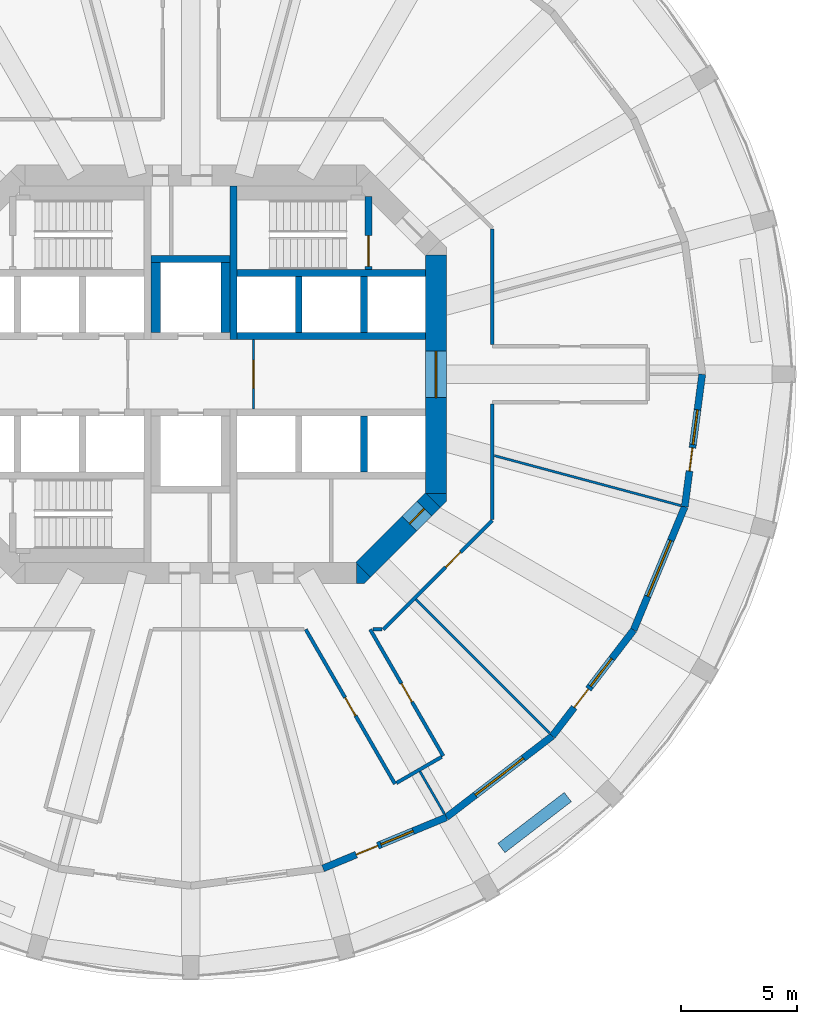
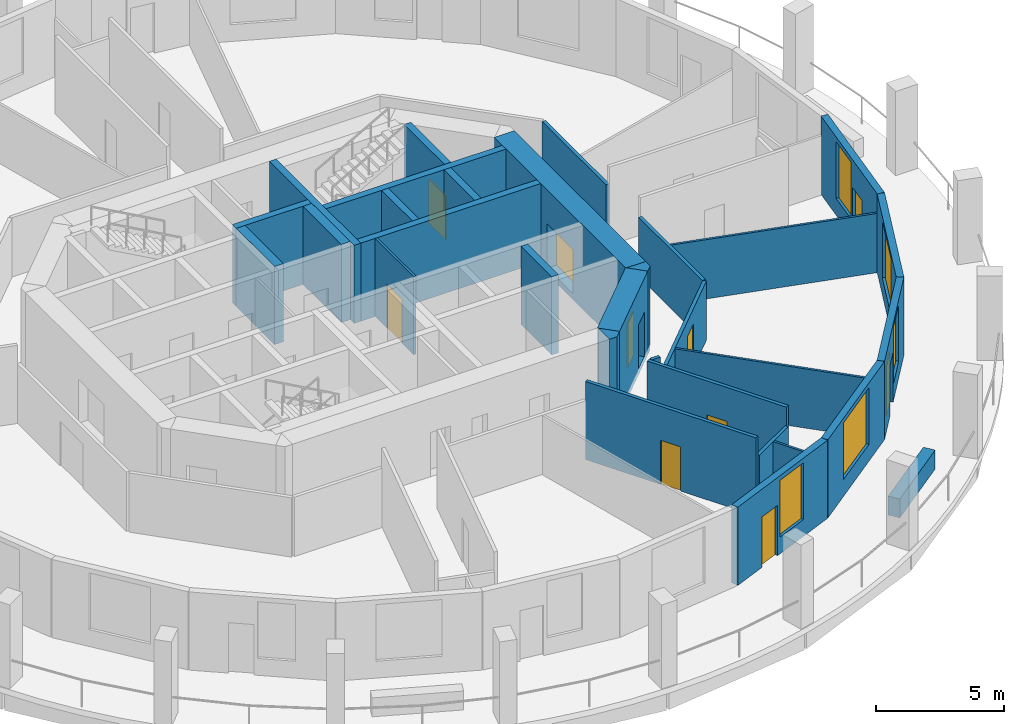
# One storey, part 4 of 8: 31 walls, 10 doors, 5 windows, 15 openings.
"""IFC4 building model written with IfcOpenShell, lengths in metres."""

from ifc_helpers import new_model, si_unit, direction, frame, frame_2d, origin, place, context, subcontext, project, spatial, polyline, rectangle, outline, extrude, material, layer, layer_set, type_object, element, fill, save


model = new_model("IFC4")

# Units and contexts
model_context = context("Model", 3, precision=1e-05, world=origin(), true_north=direction((0.0, 1.0)))
body_context = subcontext(model_context, "Body", "Model", "MODEL_VIEW")
ifc_project = project(units=[si_unit("LENGTHUNIT", "METRE"), si_unit("AREAUNIT", "SQUARE_METRE"), si_unit("VOLUMEUNIT", "CUBIC_METRE"), si_unit("PLANEANGLEUNIT", "RADIAN"), si_unit("MASSUNIT", "GRAM", prefix="KILO")], contexts=[model_context])

# Site, building, storey
site_placement = place(None, origin())
site = spatial("IfcSite", under=ifc_project, at=site_placement, CompositionType="ELEMENT")
building_placement = place(site_placement, origin())
building = spatial("IfcBuilding", under=site, at=building_placement, Name="Torre Triforio", CompositionType="ELEMENT")
storey_placement = place(building_placement, frame((0.0, 0.0, 94.60009765625)))
storey = spatial("IfcBuildingStorey", under=building, at=storey_placement, Name="L20", CompositionType="ELEMENT", Elevation=94.60009765625)

# Wall
ifc_material_1 = material(Name="Concrete C60", Category="concrete")
ifc_layer_1 = layer(ifc_material_1, 0.300048828125)
ifc_layer_set_1 = layer_set([ifc_layer_1], Name="Concrete C60")
wall_type_1 = type_object("IfcWallType", Name="Core wall 300 mm C60 EI 120", PredefinedType="SHEAR", material=ifc_layer_set_1)
wall_1_placement = place(storey_placement, frame((1.85009765625, 1.5, 0.0), z_axis=(0.0, 0.0, 1.0), x_axis=(0.0, 1.0, 0.0)))
element("IfcWall", 1, at=wall_1_placement, inside=storey, type_object=wall_type_1, Name="Core wall", PredefinedType="SHEAR", context=body_context, shape_type="SweptSolid", body=[
    extrude(rectangle(XDim=6.60009765625, YDim=0.300048828125, at=frame_2d((3.300048828125, 0.0))), origin(), (0.0, 0.0, 1.0), 3.719970703125),
])

# Wall, opening, door
ifc_layer_2 = layer(ifc_material_1, 0.89990234375)
ifc_layer_set_2 = layer_set([ifc_layer_2], Name="Concrete C60")
wall_type_2 = type_object("IfcWallType", Name="Core wall 900 mm C60 EI 120", PredefinedType="SHEAR", material=ifc_layer_set_2)
wall_2_placement = place(storey_placement, frame((10.550048828125, -5.1298828125, -0.280029296875), z_axis=(0.0, 0.0, 1.0), x_axis=(0.0, 1.0, 0.0)))
wall_2 = element("IfcWall", 2, at=wall_2_placement, inside=storey, type_object=wall_type_2, Name="Core wall", PredefinedType="SHEAR", context=body_context, shape_type="SweptSolid", body=[
    extrude(rectangle(XDim=10.259765625, YDim=0.89990234375, at=frame_2d((5.1298828125, 0.0))), origin(), (0.0, 0.0, 1.0), 4.0),
])
opening_1_placement = place(wall_2_placement, frame((4.1298828125, 0.0, 0.280029296875)))
opening_1 = element("IfcOpeningElement", 3, at=opening_1_placement, cuts=wall_2, Name="Opening E-RING", PredefinedType="OPENING", context=body_context, shape_type="SweptSolid", body=[
    extrude(rectangle(XDim=2.0, YDim=2.10009765625, at=frame_2d((1.0, 1.050048828125))), frame((0.0, 0.4599609375, 0.0), z_axis=(0.0, -1.0, 0.0), x_axis=(1.0, 0.0, 0.0)), (0.0, 0.0, 1.0), 0.919921875),
])
ifc_material_2 = material(Name="Hollow metal fire door leaf")
door_type_1 = type_object("IfcDoorType", Name="Lobby door 2000 x 2100 EI 60", OperationType="DOUBLE_DOOR_SINGLE_SWING", PredefinedType="DOOR", material=ifc_material_2)
door_1_placement = place(opening_1_placement, origin())
door_1 = element("IfcDoor", 4, at=door_1_placement, inside=storey, type_object=door_type_1, Name="Core door E-RING", OperationType="DOUBLE_DOOR_SINGLE_SWING", OverallHeight=2.10009765625, OverallWidth=2.0, PredefinedType="DOOR", context=body_context, shape_type="SweptSolid", body=[
    extrude(rectangle(XDim=2.0, YDim=2.10009765625, at=frame_2d((1.0, 1.050048828125))), frame((0.0, 0.02490234375, 0.0), z_axis=(0.0, -1.0, 0.0), x_axis=(1.0, 0.0, 0.0)), (0.0, 0.0, 1.0), 0.050048828125),
])
fill(opening_1, door_1)

wall_3_placement = place(storey_placement, frame((10.418212890625, -5.418212890625, -0.280029296875), z_axis=(0.0, 0.0, 1.0), x_axis=(-0.707106781187, -0.707106781187, 0.0)))
wall_3 = element("IfcWall", 5, at=wall_3_placement, inside=storey, type_object=wall_type_2, Name="Core wall", PredefinedType="SHEAR", context=body_context, shape_type="SweptSolid", body=[
    extrude(rectangle(XDim=4.24267578125, YDim=0.89990234375, at=frame_2d((2.121337890625, 0.0))), origin(), (0.0, 0.0, 1.0), 4.0),
])
opening_2_placement = place(wall_3_placement, frame((0.52001953125, 0.0, 0.280029296875)))
opening_2 = element("IfcOpeningElement", 6, at=opening_2_placement, cuts=wall_3, Name="Opening SE-02", PredefinedType="OPENING", context=body_context, shape_type="SweptSolid", body=[
    extrude(rectangle(XDim=0.89990234375, YDim=2.10009765625, at=frame_2d((0.449951171875, 1.050048828125))), frame((0.0, 0.4599609375, 0.0), z_axis=(0.0, -1.0, 0.0), x_axis=(1.0, 0.0, 0.0)), (0.0, 0.0, 1.0), 0.919921875),
])
door_type_2 = type_object("IfcDoorType", Name="Room door 900 x 2100 EI 60", OperationType="NOTDEFINED", PredefinedType="DOOR", material=ifc_material_2)
door_2_placement = place(opening_2_placement, origin())
door_2 = element("IfcDoor", 7, at=door_2_placement, inside=storey, type_object=door_type_2, Name="Core door SE-02", OperationType="SINGLE_SWING_RIGHT", OverallHeight=2.10009765625, OverallWidth=0.89990234375, PredefinedType="DOOR", context=body_context, shape_type="SweptSolid", body=[
    extrude(rectangle(XDim=0.89990234375, YDim=2.10009765625, at=frame_2d((0.449951171875, 1.050048828125))), frame((0.0, 0.02490234375, 0.0), z_axis=(0.0, -1.0, 0.0), x_axis=(1.0, 0.0, 0.0)), (0.0, 0.0, 1.0), 0.050048828125),
])
fill(opening_2, door_2)

# Walls
wall_4_placement = place(storey_placement, frame((0.0, 0.0, -0.280029296875)))
element("IfcWall", 8, at=wall_4_placement, inside=storey, type_object=wall_type_2, Name="Core wall", PredefinedType="SHEAR", context=body_context, shape_type="SweptSolid", body=[
    extrude(outline(polyline([(7.472900390625, -9.0), (7.1298828125, -9.0), (7.1298828125, -8.1298828125), (7.736328125, -8.736328125), (7.472900390625, -9.0)])), origin(), (0.0, 0.0, 1.0), 4.0),
])
wall_5_placement = place(storey_placement, frame((0.0, 0.0, -0.280029296875)))
element("IfcWall", 9, at=wall_5_placement, inside=storey, type_object=wall_type_2, Name="Core wall", PredefinedType="SHEAR", context=body_context, shape_type="SweptSolid", body=[
    extrude(outline(polyline([(11.0, -5.472900390625), (10.736328125, -5.736328125), (10.1298828125, -5.1298828125), (11.0, -5.1298828125), (11.0, -5.472900390625)])), origin(), (0.0, 0.0, 1.0), 4.0),
])
ifc_material_3 = material(Name="Plasterboard on metal studs")
ifc_layer_3 = layer(ifc_material_3, 0.14990234375)
ifc_layer_set_3 = layer_set([ifc_layer_3], Name="Plasterboard on metal studs")
wall_type_3 = type_object("IfcWallType", Name="Corridor and tenancy wall 150 mm EI 60", PredefinedType="PARTITIONING", material=ifc_layer_set_3)
wall_6_placement = place(storey_placement, frame((12.97509765625, -1.27490234375, 0.0), z_axis=(0.0, 0.0, 1.0), x_axis=(0.0, -1.0, 0.0)))
element("IfcWall", 10, at=wall_6_placement, inside=storey, type_object=wall_type_3, Name="Partition 2", PredefinedType="PARTITIONING", context=body_context, shape_type="SweptSolid", body=[
    extrude(rectangle(XDim=4.96337890625, YDim=0.14990234375, at=frame_2d((2.481689453125, 0.0))), origin(), (0.0, 0.0, 1.0), 2.81982421875),
])

# Wall, opening, door
wall_7_placement = place(storey_placement, frame((12.97509765625, -6.291015625, 0.0), z_axis=(0.0, 0.0, 1.0), x_axis=(-0.707106781187, -0.707106781187, 0.0)))
wall_7 = element("IfcWall", 11, at=wall_7_placement, inside=storey, type_object=wall_type_3, Name="Partition 3", PredefinedType="PARTITIONING", context=body_context, shape_type="SweptSolid", body=[
    extrude(rectangle(XDim=6.624267578125, YDim=0.14990234375, at=frame_2d((3.31201171875, 0.0))), origin(), (0.0, 0.0, 1.0), 2.81982421875),
])
opening_3_placement = place(wall_7_placement, frame((1.938232421875, 0.0, 0.0)))
opening_3 = element("IfcOpeningElement", 12, at=opening_3_placement, cuts=wall_7, Name="Opening N6-10", PredefinedType="OPENING", context=body_context, shape_type="SweptSolid", body=[
    extrude(rectangle(XDim=0.89990234375, YDim=2.10009765625, at=frame_2d((0.449951171875, 1.050048828125))), frame((0.0, 0.0849609375, 0.0), z_axis=(0.0, -1.0, 0.0), x_axis=(1.0, 0.0, 0.0)), (0.0, 0.0, 1.0), 0.169921875),
])
ifc_material_4 = material(Name="Timber", Category="wood")
door_type_3 = type_object("IfcDoorType", Name="Door 900 x 2100 single leaf EI 30", OperationType="NOTDEFINED", PredefinedType="DOOR", material=ifc_material_4)
door_3_placement = place(opening_3_placement, origin())
door_3 = element("IfcDoor", 13, at=door_3_placement, inside=storey, type_object=door_type_3, Name="Door N6-10", OperationType="SINGLE_SWING_RIGHT", OverallHeight=2.10009765625, OverallWidth=0.89990234375, PredefinedType="DOOR", context=body_context, shape_type="SweptSolid", body=[
    extrude(rectangle(XDim=0.89990234375, YDim=2.10009765625, at=frame_2d((0.449951171875, 1.050048828125))), frame((0.0, 0.02490234375, 0.0), z_axis=(0.0, -1.0, 0.0), x_axis=(1.0, 0.0, 0.0)), (0.0, 0.0, 1.0), 0.050048828125),
])
fill(opening_3, door_3)

# Wall
wall_8_placement = place(storey_placement, frame((8.23828125, -10.97509765625, 0.0), z_axis=(0.0, 0.0, 1.0), x_axis=(-1.0, 0.0, 0.0)))
element("IfcWall", 14, at=wall_8_placement, inside=storey, type_object=wall_type_3, Name="Partition 4", PredefinedType="PARTITIONING", context=body_context, shape_type="SweptSolid", body=[
    extrude(rectangle(XDim=0.38623046875, YDim=0.14990234375, at=frame_2d((0.193115234375, 0.0))), origin(), (0.0, 0.0, 1.0), 3.719970703125),
])

# Wall, opening, door
wall_9_placement = place(storey_placement, frame((7.72216796875, -10.97509765625, 0.0), z_axis=(0.0, 0.0, 1.0), x_axis=(0.499988183684, -0.86603222583, 0.0)))
wall_9 = element("IfcWall", 15, at=wall_9_placement, inside=storey, type_object=wall_type_3, Name="Partition 5", PredefinedType="PARTITIONING", context=body_context, shape_type="SweptSolid", body=[
    extrude(rectangle(XDim=6.282958984375, YDim=0.14990234375, at=frame_2d((3.1416015625, 0.0))), origin(), (0.0, 0.0, 1.0), 3.719970703125),
])
opening_4_placement = place(wall_9_placement, frame((2.69140625, 0.0, 0.0)))
opening_4 = element("IfcOpeningElement", 16, at=opening_4_placement, cuts=wall_9, Name="Opening N6-09", PredefinedType="OPENING", context=body_context, shape_type="SweptSolid", body=[
    extrude(rectangle(XDim=0.89990234375, YDim=2.10009765625, at=frame_2d((0.449951171875, 1.050048828125))), frame((0.0, 0.0849609375, 0.0), z_axis=(0.0, -1.0, 0.0), x_axis=(1.0, 0.0, 0.0)), (0.0, 0.0, 1.0), 0.169921875),
])
door_4_placement = place(opening_4_placement, origin())
door_4 = element("IfcDoor", 17, at=door_4_placement, inside=storey, type_object=door_type_3, Name="Door N6-09", OperationType="SINGLE_SWING_LEFT", OverallHeight=2.10009765625, OverallWidth=0.89990234375, PredefinedType="DOOR", context=body_context, shape_type="SweptSolid", body=[
    extrude(rectangle(XDim=0.89990234375, YDim=2.10009765625, at=frame_2d((0.449951171875, 1.050048828125))), frame((0.0, 0.02490234375, 0.0), z_axis=(0.0, -1.0, 0.0), x_axis=(1.0, 0.0, 0.0)), (0.0, 0.0, 1.0), 0.050048828125),
])
fill(opening_4, door_4)

# Wall
wall_10_placement = place(storey_placement, frame((10.798583984375, -16.453857421875, 0.0), z_axis=(0.0, 0.0, 1.0), x_axis=(-0.866017533419, -0.500013631625, 0.0)))
element("IfcWall", 18, at=wall_10_placement, inside=storey, type_object=wall_type_3, Name="Partition 6", PredefinedType="PARTITIONING", context=body_context, shape_type="SweptSolid", body=[
    extrude(rectangle(XDim=2.25, YDim=0.14990234375, at=frame_2d((1.125, 0.0))), origin(), (0.0, 0.0, 1.0), 2.81982421875),
])

# Wall, opening, door
wall_11_placement = place(storey_placement, frame((8.78515625, -17.6162109375, 0.0), z_axis=(0.0, 0.0, 1.0), x_axis=(-0.500021918639, 0.866012748683, 0.0)))
wall_11 = element("IfcWall", 19, at=wall_11_placement, inside=storey, type_object=wall_type_3, Name="Partition 7", PredefinedType="PARTITIONING", context=body_context, shape_type="SweptSolid", body=[
    extrude(rectangle(XDim=7.668701171875, YDim=0.14990234375, at=frame_2d((3.83447265625, 0.0))), origin(), (0.0, 0.0, 1.0), 3.719970703125),
])
opening_5_placement = place(wall_11_placement, frame((3.38427734375, 0.0, 0.0)))
opening_5 = element("IfcOpeningElement", 20, at=opening_5_placement, cuts=wall_11, Name="Opening N6-08", PredefinedType="OPENING", context=body_context, shape_type="SweptSolid", body=[
    extrude(rectangle(XDim=0.89990234375, YDim=2.10009765625, at=frame_2d((0.449951171875, 1.050048828125))), frame((0.0, 0.0849609375, 0.0), z_axis=(0.0, -1.0, 0.0), x_axis=(1.0, 0.0, 0.0)), (0.0, 0.0, 1.0), 0.169921875),
])
door_5_placement = place(opening_5_placement, origin())
door_5 = element("IfcDoor", 21, at=door_5_placement, inside=storey, type_object=door_type_3, Name="Door N6-08", OperationType="SINGLE_SWING_RIGHT", OverallHeight=2.10009765625, OverallWidth=0.89990234375, PredefinedType="DOOR", context=body_context, shape_type="SweptSolid", body=[
    extrude(rectangle(XDim=0.89990234375, YDim=2.10009765625, at=frame_2d((0.449951171875, 1.050048828125))), frame((0.0, 0.02490234375, 0.0), z_axis=(0.0, -1.0, 0.0), x_axis=(1.0, 0.0, 0.0)), (0.0, 0.0, 1.0), 0.050048828125),
])
fill(opening_5, door_5)

# Wall
wall_12_placement = place(storey_placement, frame((12.97509765625, 6.23828125, 0.0), z_axis=(0.0, 0.0, 1.0), x_axis=(0.0, -1.0, 0.0)))
element("IfcWall", 22, at=wall_12_placement, inside=storey, type_object=wall_type_3, Name="Partition 26", PredefinedType="PARTITIONING", context=body_context, shape_type="SweptSolid", body=[
    extrude(rectangle(XDim=4.96337890625, YDim=0.14990234375, at=frame_2d((2.481689453125, 0.0))), origin(), (0.0, 0.0, 1.0), 2.81982421875),
])

# Wall, opening, door
ifc_material_5 = material(Name="Block and board partition")
ifc_layer_4 = layer(ifc_material_5, 0.10009765625)
ifc_layer_set_4 = layer_set([ifc_layer_4], Name="Block and board partition")
wall_type_4 = type_object("IfcWallType", Name="Partition 100 mm EI 120", PredefinedType="PARTITIONING", material=ifc_layer_set_4)
wall_13_placement = place(storey_placement, frame((2.699951171875, -1.5, 0.0), z_axis=(0.0, 0.0, 1.0), x_axis=(0.0, 1.0, 0.0)))
wall_13 = element("IfcWall", 23, at=wall_13_placement, inside=storey, type_object=wall_type_4, Name="Partition", PredefinedType="PARTITIONING", context=body_context, shape_type="SweptSolid", body=[
    extrude(rectangle(XDim=3.0, YDim=0.10009765625, at=frame_2d((1.5, 0.0))), origin(), (0.0, 0.0, 1.0), 3.719970703125),
])
opening_6_placement = place(wall_13_placement, frame((0.89990234375, 0.0, 0.0)))
opening_6 = element("IfcOpeningElement", 24, at=opening_6_placement, cuts=wall_13, Name="Opening FF-E", PredefinedType="OPENING", context=body_context, shape_type="SweptSolid", body=[
    extrude(rectangle(XDim=1.199951171875, YDim=2.10009765625, at=frame_2d((0.60009765625, 1.050048828125))), frame((0.0, 0.06005859375, 0.0), z_axis=(0.0, -1.0, 0.0), x_axis=(1.0, 0.0, 0.0)), (0.0, 0.0, 1.0), 0.1201171875),
])
door_type_4 = type_object("IfcDoorType", Name="Fire-fighting lobby door 1200 x 2100 EI 60", OperationType="NOTDEFINED", PredefinedType="DOOR", material=ifc_material_2)
door_6_placement = place(opening_6_placement, origin())
door_6 = element("IfcDoor", 25, at=door_6_placement, inside=storey, type_object=door_type_4, Name="Core door FF-E", OperationType="SINGLE_SWING_LEFT", OverallHeight=2.10009765625, OverallWidth=1.199951171875, PredefinedType="DOOR", context=body_context, shape_type="SweptSolid", body=[
    extrude(rectangle(XDim=1.199951171875, YDim=2.10009765625, at=frame_2d((0.60009765625, 1.050048828125))), frame((0.0, 0.02490234375, 0.0), z_axis=(0.0, -1.0, 0.0), x_axis=(1.0, 0.0, 0.0)), (0.0, 0.0, 1.0), 0.050048828125),
])
fill(opening_6, door_6)

# Walls
ifc_layer_5 = layer(ifc_material_3, 0.10009765625)
ifc_layer_set_5 = layer_set([ifc_layer_5], Name="Plasterboard on metal studs")
wall_type_5 = type_object("IfcWallType", Name="Partition 100 mm board on metal studs", PredefinedType="PARTITIONING", material=ifc_layer_set_5)
wall_14_placement = place(storey_placement, frame((9.86181640625, -17.081298828125, 0.0), z_axis=(0.0, 0.0, 1.0), x_axis=(0.500065834316, -0.865987390988, 0.0)))
element("IfcWall", 26, at=wall_14_placement, inside=storey, type_object=wall_type_5, Name="Partition 38", PredefinedType="PARTITIONING", context=body_context, shape_type="SweptSolid", body=[
    extrude(rectangle(XDim=2.113037109375, YDim=0.10009765625, at=frame_2d((1.056640625, 0.0))), origin(), (0.0, 0.0, 1.0), 2.81982421875),
])
wall_15_placement = place(storey_placement, frame((9.68603515625, -9.68603515625, 0.0), z_axis=(0.0, 0.0, 1.0), x_axis=(0.707106781187, -0.707106781187, 0.0)))
element("IfcWall", 27, at=wall_15_placement, inside=storey, type_object=wall_type_5, Name="Partition 39", PredefinedType="PARTITIONING", context=body_context, shape_type="SweptSolid", body=[
    extrude(rectangle(XDim=8.138671875, YDim=0.10009765625, at=frame_2d((4.0693359375, 0.0))), origin(), (0.0, 0.0, 1.0), 2.81982421875),
])
wall_16_placement = place(storey_placement, frame((13.064208984375, -3.50048828125, 0.0), z_axis=(0.0, 0.0, 1.0), x_axis=(0.965920254223, -0.258839839442, 0.0)))
element("IfcWall", 28, at=wall_16_placement, inside=storey, type_object=wall_type_5, Name="Partition 40", PredefinedType="PARTITIONING", context=body_context, shape_type="SweptSolid", body=[
    extrude(rectangle(XDim=8.3115234375, YDim=0.10009765625, at=frame_2d((4.15576171875, 0.0))), origin(), (0.0, 0.0, 1.0), 2.81982421875),
])
ifc_material_6 = material(Name="Limestone cladding", Category="masonry")
ifc_layer_6 = layer(ifc_material_6, 0.10009765625)
ifc_material_7 = material(Name="Concrete C40", Category="concrete")
ifc_layer_7 = layer(ifc_material_7, 0.39990234375)
ifc_layer_set_6 = layer_set([ifc_layer_6, ifc_layer_7], Name="Limestone cladding / Concrete C40")
wall_type_6 = type_object("IfcWallType", Name="Planter wall 500", PredefinedType="PARAPET", material=ifc_layer_set_6)
wall_17_placement = place(storey_placement, frame((13.364990234375, -20.374267578125, 0.0), z_axis=(0.0, 0.0, 1.0), x_axis=(0.793326845617, 0.608795955984, 0.0)))
element("IfcWall", 29, at=wall_17_placement, inside=storey, type_object=wall_type_6, Name="Planter L20 bay 21", PredefinedType="PARAPET", context=body_context, shape_type="SweptSolid", body=[
    extrude(rectangle(XDim=3.599853515625, YDim=0.5, at=frame_2d((1.7998046875, 0.0))), origin(), (0.0, 0.0, 1.0), 0.89990234375),
])
ifc_layer_8 = layer(ifc_material_1, 0.300048828125)
ifc_layer_set_7 = layer_set([ifc_layer_8], Name="Concrete C60")
wall_type_7 = type_object("IfcWallType", Name="Shaft wall 300 mm C60 EI 120", PredefinedType="SOLIDWALL", material=ifc_layer_set_7)
for number, where, z_axis, x_axis, name in (
    (30, (2.0, 4.35009765625, 0.0), (0.0, 0.0, 1.0), (1.0, 0.0, 0.0), "Shaft wall"),
    (31, (2.0, 1.64990234375, 0.0), (0.0, 0.0, 1.0), (1.0, 0.0, 0.0), "Shaft wall"),
):
    element("IfcWall", number, at=place(storey_placement, frame(where, z_axis=z_axis, x_axis=x_axis)), inside=storey, type_object=wall_type_7, Name=name, PredefinedType="SOLIDWALL", context=body_context, shape_type="SweptSolid", body=[
        extrude(rectangle(XDim=8.10009765625, YDim=0.300048828125, at=frame_2d((4.050048828125, 0.0))), origin(), (0.0, 0.0, 1.0), 3.719970703125),
    ])
for number, where, z_axis, x_axis, name in (
    (32, (4.64990234375, 1.800048828125, 0.0), (0.0, 0.0, 1.0), (0.0, 1.0, 0.0), "Shaft wall"),
    (33, (7.449951171875, 1.800048828125, 0.0), (0.0, 0.0, 1.0), (0.0, 1.0, 0.0), "Shaft wall"),
    (34, (7.449951171875, -4.199951171875, 0.0), (0.0, 0.0, 1.0), (0.0, 1.0, 0.0), "Shaft wall"),
):
    element("IfcWall", number, at=place(storey_placement, frame(where, z_axis=z_axis, x_axis=x_axis)), inside=storey, type_object=wall_type_7, Name=name, PredefinedType="SOLIDWALL", context=body_context, shape_type="SweptSolid", body=[
        extrude(rectangle(XDim=2.39990234375, YDim=0.300048828125, at=frame_2d((1.199951171875, 0.0))), origin(), (0.0, 0.0, 1.0), 3.719970703125),
    ])
wall_18_placement = place(storey_placement, frame((-1.699951171875, 4.949951171875, 0.0), z_axis=(0.0, 0.0, 1.0), x_axis=(1.0, 0.0, 0.0)))
element("IfcWall", 35, at=wall_18_placement, inside=storey, type_object=wall_type_7, Name="Shaft wall", PredefinedType="SOLIDWALL", context=body_context, shape_type="SweptSolid", body=[
    extrude(rectangle(XDim=3.39990234375, YDim=0.300048828125, at=frame_2d((1.699951171875, 0.0))), origin(), (0.0, 0.0, 1.0), 3.719970703125),
])
ifc_layer_9 = layer(ifc_material_1, 0.39990234375)
ifc_layer_set_8 = layer_set([ifc_layer_9], Name="Concrete C60")
wall_type_8 = type_object("IfcWallType", Name="Shaft wall 400 mm C60 EI 120", PredefinedType="SOLIDWALL", material=ifc_layer_set_8)
for number, where, z_axis, x_axis, name in (
    (36, (-1.5, 1.800048828125, 0.0), (0.0, 0.0, 1.0), (0.0, 1.0, 0.0), "Shaft wall"),
    (37, (1.5, 1.800048828125, 0.0), (0.0, 0.0, 1.0), (0.0, 1.0, 0.0), "Shaft wall"),
):
    element("IfcWall", number, at=place(storey_placement, frame(where, z_axis=z_axis, x_axis=x_axis)), inside=storey, type_object=wall_type_8, Name=name, PredefinedType="SOLIDWALL", context=body_context, shape_type="SweptSolid", body=[
        extrude(rectangle(XDim=3.0, YDim=0.39990234375, at=frame_2d((1.5, 0.0))), origin(), (0.0, 0.0, 1.0), 3.719970703125),
    ])

# Wall, opening, door
ifc_layer_10 = layer(ifc_material_1, 0.300048828125)
ifc_layer_set_9 = layer_set([ifc_layer_10], Name="Concrete C60")
wall_type_9 = type_object("IfcWallType", Name="Stair wall 300 mm C60 EI 120", PredefinedType="SHEAR", material=ifc_layer_set_9)
wall_19_placement = place(storey_placement, frame((7.64990234375, 4.5, 0.0), z_axis=(0.0, 0.0, 1.0), x_axis=(0.0, 1.0, 0.0)))
wall_19 = element("IfcWall", 38, at=wall_19_placement, inside=storey, type_object=wall_type_9, Name="Stair wall", PredefinedType="SHEAR", context=body_context, shape_type="SweptSolid", body=[
    extrude(rectangle(XDim=3.139892578125, YDim=0.300048828125, at=frame_2d((1.56982421875, 0.0))), origin(), (0.0, 0.0, 1.0), 3.719970703125),
])
opening_7_placement = place(wall_19_placement, frame((0.139892578125, 0.0, 0.0)))
opening_7 = element("IfcOpeningElement", 39, at=opening_7_placement, cuts=wall_19, Name="Opening ST2-STA", PredefinedType="OPENING", context=body_context, shape_type="SweptSolid", body=[
    extrude(rectangle(XDim=1.320068359375, YDim=2.10009765625, at=frame_2d((0.66015625, 1.050048828125))), frame((0.0, 0.159912109375, 0.0), z_axis=(0.0, -1.0, 0.0), x_axis=(1.0, 0.0, 0.0)), (0.0, 0.0, 1.0), 0.320068359375),
])
door_type_5 = type_object("IfcDoorType", Name="Stair door 1320 x 2100 EI 90", OperationType="DOUBLE_DOOR_SINGLE_SWING", PredefinedType="DOOR", material=ifc_material_2)
door_7_placement = place(opening_7_placement, origin())
door_7 = element("IfcDoor", 40, at=door_7_placement, inside=storey, type_object=door_type_5, Name="Core door ST2-ST", OperationType="DOUBLE_DOOR_SINGLE_SWING", OverallHeight=2.10009765625, OverallWidth=1.320068359375, PredefinedType="DOOR", context=body_context, shape_type="SweptSolid", body=[
    extrude(rectangle(XDim=1.320068359375, YDim=2.10009765625, at=frame_2d((0.66015625, 1.050048828125))), frame((0.0, 0.02490234375, 0.0), z_axis=(0.0, -1.0, 0.0), x_axis=(1.0, 0.0, 0.0)), (0.0, 0.0, 1.0), 0.050048828125),
])
fill(opening_7, door_7)

# Wall, openings, door, window
ifc_layer_11 = layer(ifc_material_6, 0.10009765625)
ifc_layer_12 = layer(ifc_material_7, 0.199951171875)
ifc_layer_set_10 = layer_set([ifc_layer_11, ifc_layer_12], Name="Limestone cladding / Concrete C40")
wall_type_10 = type_object("IfcWallType", Name="Stone-faced composite wall 300", PredefinedType="STANDARD", material=ifc_layer_set_10)
wall_20_placement = place(storey_placement, frame((5.694091796875, -21.25048828125, 0.0), z_axis=(0.0, 0.0, 1.0), x_axis=(0.923866055759, 0.382715966503, 0.0)))
wall_20 = element("IfcWall", 41, at=wall_20_placement, inside=storey, type_object=wall_type_10, Name="External wall L20 bay 20", PredefinedType="STANDARD", context=body_context, shape_type="SweptSolid", body=[
    extrude(rectangle(XDim=5.7431640625, YDim=0.300048828125, at=frame_2d((2.87158203125, 0.0))), origin(), (0.0, 0.0, 1.0), 3.719970703125),
])
opening_8_placement = place(wall_20_placement, frame((1.546630859375, 0.0, 0.0)))
opening_8 = element("IfcOpeningElement", 42, at=opening_8_placement, cuts=wall_20, Name="Opening N6-D20", PredefinedType="OPENING", context=body_context, shape_type="SweptSolid", body=[
    extrude(rectangle(XDim=1.0, YDim=2.39990234375, at=frame_2d((0.5, 1.199951171875))), frame((0.0, 0.159912109375, 0.0), z_axis=(0.0, -1.0, 0.0), x_axis=(1.0, 0.0, 0.0)), (0.0, 0.0, 1.0), 0.320068359375),
])
opening_9_placement = place(wall_20_placement, frame((2.696533203125, 0.0, 0.800048828125)))
opening_9 = element("IfcOpeningElement", 43, at=opening_9_placement, cuts=wall_20, Name="Opening N6-W20A", PredefinedType="OPENING", context=body_context, shape_type="SweptSolid", body=[
    extrude(rectangle(XDim=1.5, YDim=2.699951171875, at=frame_2d((0.75, 1.35009765625))), frame((0.0, 0.159912109375, 0.0), z_axis=(0.0, -1.0, 0.0), x_axis=(1.0, 0.0, 0.0)), (0.0, 0.0, 1.0), 0.320068359375),
])
ifc_material_8 = material(Name="Aluminium frame with clear double glazing", Category="aluminium")
door_type_6 = type_object("IfcDoorType", Name="Loggia door 1000 x 2400", OperationType="NOTDEFINED", PredefinedType="DOOR", material=ifc_material_8)
door_8_placement = place(opening_8_placement, origin())
door_8 = element("IfcDoor", 44, at=door_8_placement, inside=storey, type_object=door_type_6, Name="Loggia door L20 bay 20", OperationType="SINGLE_SWING_LEFT", OverallHeight=2.39990234375, OverallWidth=1.0, PredefinedType="DOOR", context=body_context, shape_type="SweptSolid", body=[
    extrude(rectangle(XDim=1.0, YDim=2.39990234375, at=frame_2d((0.5, 1.199951171875))), frame((0.0, 0.02490234375, 0.0), z_axis=(0.0, -1.0, 0.0), x_axis=(1.0, 0.0, 0.0)), (0.0, 0.0, 1.0), 0.050048828125),
])
fill(opening_8, door_8)
window_type_1 = type_object("IfcWindowType", Name="Side window 1500 x 2700", PartitioningType="SINGLE_PANEL", PredefinedType="WINDOW", material=ifc_material_8)
window_1_placement = place(opening_9_placement, origin())
window_1 = element("IfcWindow", 45, at=window_1_placement, inside=storey, type_object=window_type_1, Name="Side window EWN12 L20 bay 20", OverallHeight=2.699951171875, OverallWidth=1.5, PartitioningType="SINGLE_PANEL", PredefinedType="WINDOW", context=body_context, shape_type="SweptSolid", body=[
    extrude(rectangle(XDim=1.5, YDim=2.699951171875, at=frame_2d((0.75, 1.35009765625))), frame((0.0, 0.030029296875, 0.0), z_axis=(0.0, -1.0, 0.0), x_axis=(1.0, 0.0, 0.0)), (0.0, 0.0, 1.0), 0.06005859375),
])
fill(opening_9, window_1)

# Wall, opening, window
wall_21_placement = place(storey_placement, frame((11.0, -19.052490234375, 0.0), z_axis=(0.0, 0.0, 1.0), x_axis=(0.793366142647, 0.608744744291, 0.0)))
wall_21 = element("IfcWall", 46, at=wall_21_placement, inside=storey, type_object=wall_type_10, Name="External wall L20 bay 21", PredefinedType="STANDARD", context=body_context, shape_type="SweptSolid", body=[
    extrude(rectangle(XDim=5.7431640625, YDim=0.300048828125, at=frame_2d((2.87158203125, 0.0))), origin(), (0.0, 0.0, 1.0), 3.719970703125),
])
opening_10_placement = place(wall_21_placement, frame((1.571533203125, 0.0, 0.800048828125)))
opening_10 = element("IfcOpeningElement", 47, at=opening_10_placement, cuts=wall_21, Name="Opening N6-W21", PredefinedType="OPENING", context=body_context, shape_type="SweptSolid", body=[
    extrude(rectangle(XDim=2.60009765625, YDim=2.699951171875, at=frame_2d((1.300048828125, 1.35009765625))), frame((0.0, 0.159912109375, 0.0), z_axis=(0.0, -1.0, 0.0), x_axis=(1.0, 0.0, 0.0)), (0.0, 0.0, 1.0), 0.320068359375),
])
window_type_2 = type_object("IfcWindowType", Name="Punched window 2600 x 2700", PartitioningType="DOUBLE_PANEL_VERTICAL", PredefinedType="WINDOW", material=ifc_material_8)
window_2_placement = place(opening_10_placement, origin())
window_2 = element("IfcWindow", 48, at=window_2_placement, inside=storey, type_object=window_type_2, Name="Window EWN2 L20 bay 21", OverallHeight=2.699951171875, OverallWidth=2.60009765625, PartitioningType="SINGLE_PANEL", PredefinedType="WINDOW", context=body_context, shape_type="SweptSolid", body=[
    extrude(rectangle(XDim=2.60009765625, YDim=2.699951171875, at=frame_2d((1.300048828125, 1.35009765625))), frame((0.0, 0.030029296875, 0.0), z_axis=(0.0, -1.0, 0.0), x_axis=(1.0, 0.0, 0.0)), (0.0, 0.0, 1.0), 0.06005859375),
])
fill(opening_10, window_2)

# Wall, openings, door, window
wall_22_placement = place(storey_placement, frame((15.556396484375, -15.556396484375, 0.0), z_axis=(0.0, 0.0, 1.0), x_axis=(0.608744744291, 0.793366142647, 0.0)))
wall_22 = element("IfcWall", 49, at=wall_22_placement, inside=storey, type_object=wall_type_10, Name="External wall L20 bay 22", PredefinedType="STANDARD", context=body_context, shape_type="SweptSolid", body=[
    extrude(rectangle(XDim=5.7431640625, YDim=0.300048828125, at=frame_2d((2.87158203125, 0.0))), origin(), (0.0, 0.0, 1.0), 3.719970703125),
])
opening_11_placement = place(wall_22_placement, frame((1.546630859375, 0.0, 0.0)))
opening_11 = element("IfcOpeningElement", 50, at=opening_11_placement, cuts=wall_22, Name="Opening N6-D22", PredefinedType="OPENING", context=body_context, shape_type="SweptSolid", body=[
    extrude(rectangle(XDim=1.0, YDim=2.39990234375, at=frame_2d((0.5, 1.199951171875))), frame((0.0, 0.159912109375, 0.0), z_axis=(0.0, -1.0, 0.0), x_axis=(1.0, 0.0, 0.0)), (0.0, 0.0, 1.0), 0.320068359375),
])
opening_12_placement = place(wall_22_placement, frame((2.696533203125, 0.0, 0.800048828125)))
opening_12 = element("IfcOpeningElement", 51, at=opening_12_placement, cuts=wall_22, Name="Opening N6-W22A", PredefinedType="OPENING", context=body_context, shape_type="SweptSolid", body=[
    extrude(rectangle(XDim=1.5, YDim=2.699951171875, at=frame_2d((0.75, 1.35009765625))), frame((0.0, 0.159912109375, 0.0), z_axis=(0.0, -1.0, 0.0), x_axis=(1.0, 0.0, 0.0)), (0.0, 0.0, 1.0), 0.320068359375),
])
door_9_placement = place(opening_11_placement, origin())
door_9 = element("IfcDoor", 52, at=door_9_placement, inside=storey, type_object=door_type_6, Name="Loggia door L20 bay 22", OperationType="SINGLE_SWING_LEFT", OverallHeight=2.39990234375, OverallWidth=1.0, PredefinedType="DOOR", context=body_context, shape_type="SweptSolid", body=[
    extrude(rectangle(XDim=1.0, YDim=2.39990234375, at=frame_2d((0.5, 1.199951171875))), frame((0.0, 0.02490234375, 0.0), z_axis=(0.0, -1.0, 0.0), x_axis=(1.0, 0.0, 0.0)), (0.0, 0.0, 1.0), 0.050048828125),
])
fill(opening_11, door_9)
window_3_placement = place(opening_12_placement, origin())
window_3 = element("IfcWindow", 53, at=window_3_placement, inside=storey, type_object=window_type_1, Name="Side window EWN12 L20 bay 22", OverallHeight=2.699951171875, OverallWidth=1.5, PartitioningType="SINGLE_PANEL", PredefinedType="WINDOW", context=body_context, shape_type="SweptSolid", body=[
    extrude(rectangle(XDim=1.5, YDim=2.699951171875, at=frame_2d((0.75, 1.35009765625))), frame((0.0, 0.030029296875, 0.0), z_axis=(0.0, -1.0, 0.0), x_axis=(1.0, 0.0, 0.0)), (0.0, 0.0, 1.0), 0.06005859375),
])
fill(opening_12, window_3)

# Wall, opening, window
wall_23_placement = place(storey_placement, frame((19.052490234375, -11.0, 0.0), z_axis=(0.0, 0.0, 1.0), x_axis=(0.382715966503, 0.923866055759, 0.0)))
wall_23 = element("IfcWall", 54, at=wall_23_placement, inside=storey, type_object=wall_type_10, Name="External wall L20 bay 23", PredefinedType="STANDARD", context=body_context, shape_type="SweptSolid", body=[
    extrude(rectangle(XDim=5.7431640625, YDim=0.300048828125, at=frame_2d((2.87158203125, 0.0))), origin(), (0.0, 0.0, 1.0), 3.719970703125),
])
opening_13_placement = place(wall_23_placement, frame((1.571533203125, 0.0, 0.800048828125)))
opening_13 = element("IfcOpeningElement", 55, at=opening_13_placement, cuts=wall_23, Name="Opening N6-W23", PredefinedType="OPENING", context=body_context, shape_type="SweptSolid", body=[
    extrude(rectangle(XDim=2.60009765625, YDim=2.699951171875, at=frame_2d((1.300048828125, 1.35009765625))), frame((0.0, 0.159912109375, 0.0), z_axis=(0.0, -1.0, 0.0), x_axis=(1.0, 0.0, 0.0)), (0.0, 0.0, 1.0), 0.320068359375),
])
window_4_placement = place(opening_13_placement, origin())
window_4 = element("IfcWindow", 56, at=window_4_placement, inside=storey, type_object=window_type_2, Name="Window EWN2 L20 bay 23", OverallHeight=2.699951171875, OverallWidth=2.60009765625, PartitioningType="SINGLE_PANEL", PredefinedType="WINDOW", context=body_context, shape_type="SweptSolid", body=[
    extrude(rectangle(XDim=2.60009765625, YDim=2.699951171875, at=frame_2d((1.300048828125, 1.35009765625))), frame((0.0, 0.030029296875, 0.0), z_axis=(0.0, -1.0, 0.0), x_axis=(1.0, 0.0, 0.0)), (0.0, 0.0, 1.0), 0.06005859375),
])
fill(opening_13, window_4)

# Wall, openings, door, window
wall_24_placement = place(storey_placement, frame((21.25048828125, -5.694091796875, 0.0), z_axis=(0.0, 0.0, 1.0), x_axis=(0.130503995834, 0.991447783331, 0.0)))
wall_24 = element("IfcWall", 57, at=wall_24_placement, inside=storey, type_object=wall_type_10, Name="External wall L20 bay 24", PredefinedType="STANDARD", context=body_context, shape_type="SweptSolid", body=[
    extrude(rectangle(XDim=5.7431640625, YDim=0.300048828125, at=frame_2d((2.87158203125, 0.0))), origin(), (0.0, 0.0, 1.0), 3.719970703125),
])
opening_14_placement = place(wall_24_placement, frame((1.546630859375, 0.0, 0.0)))
opening_14 = element("IfcOpeningElement", 58, at=opening_14_placement, cuts=wall_24, Name="Opening N6-D24", PredefinedType="OPENING", context=body_context, shape_type="SweptSolid", body=[
    extrude(rectangle(XDim=1.0, YDim=2.39990234375, at=frame_2d((0.5, 1.199951171875))), frame((0.0, 0.159912109375, 0.0), z_axis=(0.0, -1.0, 0.0), x_axis=(1.0, 0.0, 0.0)), (0.0, 0.0, 1.0), 0.320068359375),
])
opening_15_placement = place(wall_24_placement, frame((2.696533203125, 0.0, 0.800048828125)))
opening_15 = element("IfcOpeningElement", 59, at=opening_15_placement, cuts=wall_24, Name="Opening N6-W24A", PredefinedType="OPENING", context=body_context, shape_type="SweptSolid", body=[
    extrude(rectangle(XDim=1.5, YDim=2.699951171875, at=frame_2d((0.75, 1.35009765625))), frame((0.0, 0.159912109375, 0.0), z_axis=(0.0, -1.0, 0.0), x_axis=(1.0, 0.0, 0.0)), (0.0, 0.0, 1.0), 0.320068359375),
])
door_10_placement = place(opening_14_placement, origin())
door_10 = element("IfcDoor", 60, at=door_10_placement, inside=storey, type_object=door_type_6, Name="Loggia door L20 bay 24", OperationType="SINGLE_SWING_RIGHT", OverallHeight=2.39990234375, OverallWidth=1.0, PredefinedType="DOOR", context=body_context, shape_type="SweptSolid", body=[
    extrude(rectangle(XDim=1.0, YDim=2.39990234375, at=frame_2d((0.5, 1.199951171875))), frame((0.0, 0.02490234375, 0.0), z_axis=(0.0, -1.0, 0.0), x_axis=(1.0, 0.0, 0.0)), (0.0, 0.0, 1.0), 0.050048828125),
])
fill(opening_14, door_10)
window_5_placement = place(opening_15_placement, origin())
window_5 = element("IfcWindow", 61, at=window_5_placement, inside=storey, type_object=window_type_1, Name="Side window EWN12 L20 bay 24", OverallHeight=2.699951171875, OverallWidth=1.5, PartitioningType="SINGLE_PANEL", PredefinedType="WINDOW", context=body_context, shape_type="SweptSolid", body=[
    extrude(rectangle(XDim=1.5, YDim=2.699951171875, at=frame_2d((0.75, 1.35009765625))), frame((0.0, 0.030029296875, 0.0), z_axis=(0.0, -1.0, 0.0), x_axis=(1.0, 0.0, 0.0)), (0.0, 0.0, 1.0), 0.06005859375),
])
fill(opening_15, window_5)

save(model, "model.ifc")
